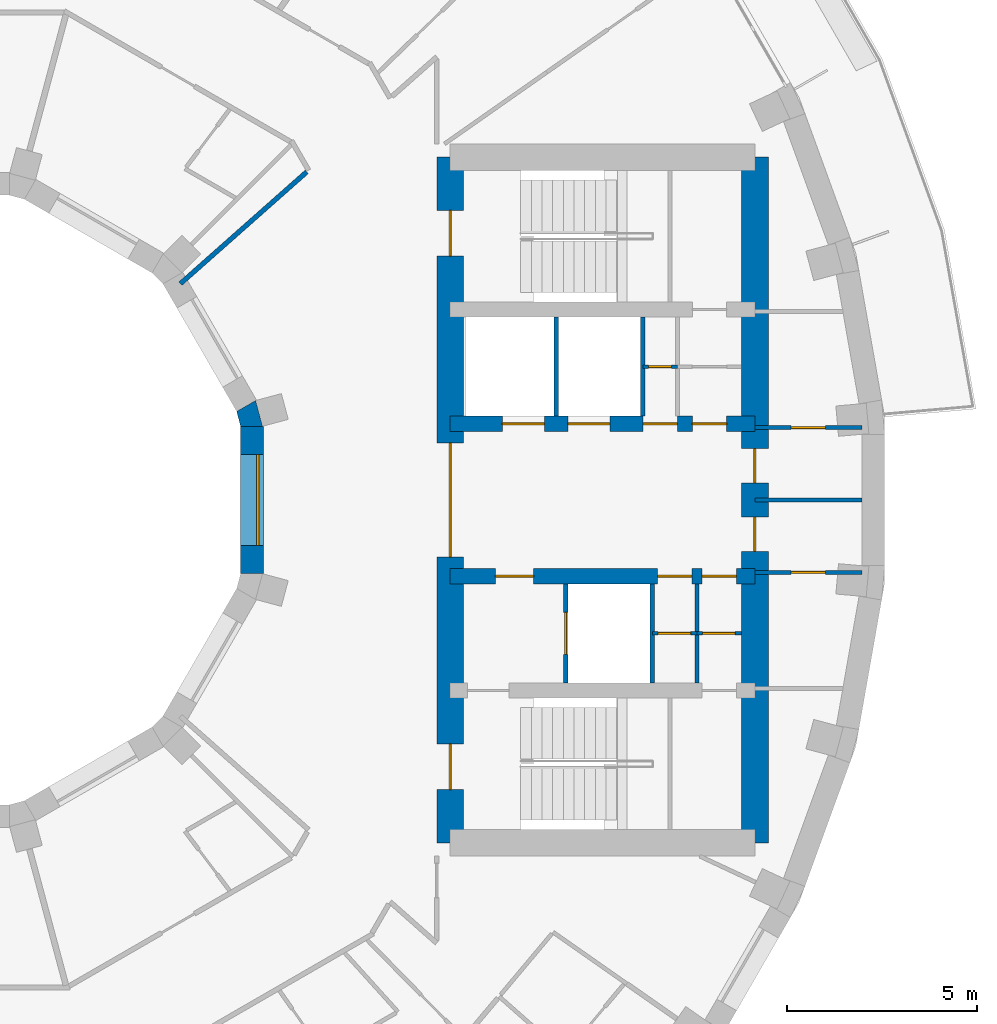
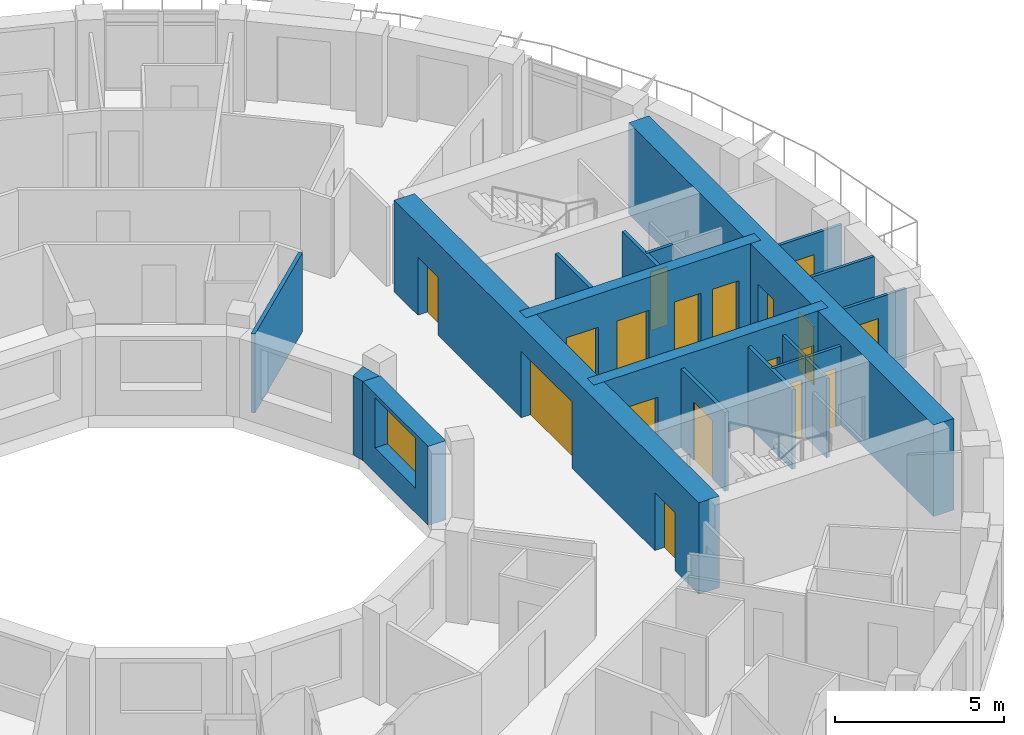
# One storey, part 9 of 15: 18 doors, 18 walls, 1 window, 19 openings.
"""IFC4 building model written with IfcOpenShell, lengths in metres."""

import ifcopenshell
import ifcopenshell.guid

model = None  # the IFC model being written
_history = None  # IfcOwnerHistory: only IFC2X3 demands one
_inside = {}  # id of a spatial element -> (the spatial element, [elements in it])
_under = {}  # id of a project, library or spatial element -> (it, [spatial elements below it])
_declared = {}  # id of a project -> (the project, [libraries it declares])
_typed = {}  # id of a type object -> (the type object, [elements of that type])
_made_of = {}  # id of a material, layer set ... -> (it, [elements and type objects made of it])


def new_model(schema):
    """Start an empty IFC model of exactly this schema.

    Asked for "IFC4X3", IfcOpenShell would pick the latest addendum, in which some entities
    have other attributes; the version numbers below select the first issue.
    IFC2X3 requires an IfcOwnerHistory on every rooted entity: one is made here for all.
    """
    global model, _history
    if schema == "IFC4X3":
        model = ifcopenshell.file(schema_version=(4, 3, 0, 0))
    else:
        model = ifcopenshell.file(schema=schema)
    _inside.clear()
    _under.clear()
    _declared.clear()
    _typed.clear()
    _made_of.clear()
    _history = None
    if model.schema == "IFC2X3":
        org = make("IfcOrganization", Name="unknown")
        user = make(
            "IfcPersonAndOrganization",
            ThePerson=make("IfcPerson", FamilyName="unknown"),
            TheOrganization=org,
        )
        app = make(
            "IfcApplication",
            ApplicationDeveloper=org,
            Version="unknown",
            ApplicationFullName="unknown",
            ApplicationIdentifier="unknown",
        )
        _history = make(
            "IfcOwnerHistory",
            OwningUser=user,
            OwningApplication=app,
            ChangeAction="ADDED",
            CreationDate=0,
        )
    return model


def make(cls, **values):
    """One entity of the class cls with the attributes given. An attribute that is None is left unset."""
    return model.create_entity(
        cls, **{name: value for name, value in values.items() if value is not None}
    )


def rooted(cls, **values):
    """An entity with a GlobalId (a new one), such as an element, a storey or a relation."""
    return make(cls, GlobalId=ifcopenshell.guid.new(), OwnerHistory=_history, **values)


def si_unit(unit_type, name, prefix=None):
    """IfcSIUnit, for example si_unit("LENGTHUNIT", "METRE", prefix="MILLI")."""
    return make("IfcSIUnit", UnitType=unit_type, Prefix=prefix, Name=name)


def assignment(units):
    """IfcUnitAssignment: the units of a project."""
    return None if units is None else make("IfcUnitAssignment", Units=units)


def point(xyz):
    """IfcCartesianPoint."""
    return None if xyz is None else make("IfcCartesianPoint", Coordinates=xyz)


def direction(xyz):
    """IfcDirection."""
    return None if xyz is None else make("IfcDirection", DirectionRatios=xyz)


def frame(location, z_axis=None, x_axis=None):
    """IfcAxis2Placement3D, a coordinate frame: its origin and axes. An axis left out is left unset."""
    return make(
        "IfcAxis2Placement3D",
        Location=point(location),
        Axis=direction(z_axis),
        RefDirection=direction(x_axis),
    )


def frame_2d(location, x_axis=None):
    """IfcAxis2Placement2D, a coordinate frame in the plane: its origin and x axis."""
    return make(
        "IfcAxis2Placement2D", Location=point(location), RefDirection=direction(x_axis)
    )


def origin():
    """The frame at (0, 0, 0) with its axes left unset."""
    return frame((0.0, 0.0, 0.0))


def place(relative_to, where):
    """IfcLocalPlacement: puts the frame where relative to a parent placement (None: the world)."""
    return make(
        "IfcLocalPlacement", PlacementRelTo=relative_to, RelativePlacement=where
    )


def context(
    kind, dimensions, precision=None, world=None, true_north=None, identifier=None
):
    """IfcGeometricRepresentationContext, for example the 3D "Model" context."""
    return make(
        "IfcGeometricRepresentationContext",
        ContextIdentifier=identifier,
        ContextType=kind,
        CoordinateSpaceDimension=dimensions,
        Precision=precision,
        WorldCoordinateSystem=world,
        TrueNorth=true_north,
    )


def subcontext(parent, identifier, kind, view, scale=None):
    """IfcGeometricRepresentationSubContext, for example "Body" below "Model"."""
    return make(
        "IfcGeometricRepresentationSubContext",
        ContextIdentifier=identifier,
        ContextType=kind,
        ParentContext=parent,
        TargetScale=scale,
        TargetView=view,
    )


def project(units=None, contexts=None):
    """IfcProject with its units and contexts."""
    return rooted(
        "IfcProject",
        Name="project",
        RepresentationContexts=contexts,
        UnitsInContext=assignment(units),
    )


def spatial(cls, under=None, at=None, **own):
    """A site, building, storey or space (cls), placed at a placement, below another one or the project."""
    s = rooted(cls, ObjectPlacement=at, **own)
    if under is not None:
        _under.setdefault(under.id(), (under, []))[1].append(s)
    return s


def polyline(points):
    """IfcPolyline through the points."""
    return make("IfcPolyline", Points=[point(p) for p in points])


def profile(cls, at=None, kind="AREA", **sizes):
    """A parametric profile (cls). Its sizes go by their IFC names, for example OverallWidth=200.0."""
    return make(cls, ProfileType=kind, Position=at, **sizes)


def rectangle(**sizes):
    """IfcRectangleProfileDef."""
    return profile("IfcRectangleProfileDef", **sizes)


def outline(outer, holes=None, kind="AREA"):
    """IfcArbitraryClosedProfileDef: a profile drawn as a closed curve; with holes, ...WithVoids."""
    if holes is None:
        return make("IfcArbitraryClosedProfileDef", ProfileType=kind, OuterCurve=outer)
    return make(
        "IfcArbitraryProfileDefWithVoids",
        ProfileType=kind,
        OuterCurve=outer,
        InnerCurves=holes,
    )


def extrude(swept, where, along, depth):
    """IfcExtrudedAreaSolid: the profile swept, set in the frame where, extruded along a direction by depth."""
    return make(
        "IfcExtrudedAreaSolid",
        SweptArea=swept,
        Position=where,
        ExtrudedDirection=direction(along),
        Depth=depth,
    )


def shape(context_of_items, identifier, shape_type, items):
    """IfcShapeRepresentation: the items that make up one representation, for example the "Body"."""
    return make(
        "IfcShapeRepresentation",
        ContextOfItems=context_of_items,
        RepresentationIdentifier=identifier,
        RepresentationType=shape_type,
        Items=items,
    )


def material(Name=None, Category=None):
    """IfcMaterial."""
    return make("IfcMaterial", Name=Name, Category=Category)


def layer(
    of_material, thickness, ventilated=None, Name=None, Category=None, Priority=None
):
    """IfcMaterialLayer: one layer of a wall or slab, of a material (None: an air gap)."""
    return make(
        "IfcMaterialLayer",
        Material=of_material,
        LayerThickness=thickness,
        IsVentilated=ventilated,
        Name=Name,
        Category=Category,
        Priority=Priority,
    )


def layer_set(layers, Name=None):
    """IfcMaterialLayerSet."""
    return make("IfcMaterialLayerSet", MaterialLayers=layers, LayerSetName=Name)


def made_of(thing, what):
    """Note that an element or type object is made of a material, layer set ...; save() writes the relation."""
    if what is not None:
        _made_of.setdefault(what.id(), (what, []))[1].append(thing)
    return thing


def type_object(cls, material=None, **own):
    """A type object (cls), such as IfcWallType, which elements share."""
    return made_of(rooted(cls, **own), material)


def element(
    cls,
    number,
    at=None,
    inside=None,
    cuts=None,
    type_object=None,
    material=None,
    context=None,
    identifier="Body",
    shape_type=None,
    held_by="IfcProductDefinitionShape",
    body=None,
    shapes=None,
    **own,
):
    """One element of the class cls, such as IfcWall. Its Tag is "e" and its number.

    at: its placement. inside: the storey or other place that contains it. cuts: it is an
    opening in that element (IfcRelVoidsElement). A single representation is given by context,
    identifier, shape_type and body (its items); several are given by shapes. held_by: the class
    of the entity that holds the representations. save() writes the other relations.
    """
    e = rooted(cls, Tag="e%d" % number, ObjectPlacement=at, **own)
    if body is not None:
        shapes = [shape(context, identifier, shape_type, body)]
    if shapes is not None:
        e.Representation = make(held_by, Representations=shapes)
    if inside is not None:
        _inside.setdefault(inside.id(), (inside, []))[1].append(e)
    if cuts is not None:
        rooted(
            "IfcRelVoidsElement", RelatingBuildingElement=cuts, RelatedOpeningElement=e
        )
    if type_object is not None:
        _typed.setdefault(type_object.id(), (type_object, []))[1].append(e)
    return made_of(e, material)


def fill(opening, filler):
    """IfcRelFillsElement: the door or window that sits in an opening."""
    return rooted(
        "IfcRelFillsElement",
        RelatingOpeningElement=opening,
        RelatedBuildingElement=filler,
    )


def aggregate(whole, parts):
    """IfcRelAggregates: a whole, such as a stair, and the parts it consists of."""
    return rooted("IfcRelAggregates", RelatingObject=whole, RelatedObjects=parts)


def save(model, path):
    """Write the relations noted so far, then the file.

    IfcRelAggregates (storeys below a building ...), IfcRelContainedInSpatialStructure (elements
    in a storey), IfcRelDefinesByType, IfcRelAssociatesMaterial and IfcRelDeclares: one each for
    every whole, place, type object, material and project.
    """
    for whole, parts in _under.values():
        aggregate(whole, parts)
    for where, things in _inside.values():
        rooted(
            "IfcRelContainedInSpatialStructure",
            RelatedElements=things,
            RelatingStructure=where,
        )
    for kind, things in _typed.values():
        rooted("IfcRelDefinesByType", RelatedObjects=things, RelatingType=kind)
    for what, things in _made_of.values():
        rooted("IfcRelAssociatesMaterial", RelatedObjects=things, RelatingMaterial=what)
    for by, libraries in _declared.values():
        rooted("IfcRelDeclares", RelatingContext=by, RelatedDefinitions=libraries)
    model.write(path)


model = new_model("IFC4")

# Units and contexts
model_context = context("Model", 3, precision=1e-05, world=origin(), true_north=direction((0.0, 1.0)))
body_context = subcontext(model_context, "Body", "Model", "MODEL_VIEW")
ifc_project = project(units=[si_unit("LENGTHUNIT", "METRE"), si_unit("AREAUNIT", "SQUARE_METRE"), si_unit("VOLUMEUNIT", "CUBIC_METRE"), si_unit("PLANEANGLEUNIT", "RADIAN"), si_unit("MASSUNIT", "GRAM", prefix="KILO")], contexts=[model_context])

# Site, building, storey
site_placement = place(None, origin())
site = spatial("IfcSite", under=ifc_project, at=site_placement, CompositionType="ELEMENT")
building_placement = place(site_placement, origin())
building = spatial("IfcBuilding", under=site, at=building_placement, Name="Saqina Gate Tower", CompositionType="ELEMENT")
storey_placement = place(building_placement, frame((0.0, 0.0, 190.5)))
storey = spatial("IfcBuildingStorey", under=building, at=storey_placement, Name="L54", CompositionType="ELEMENT", Elevation=190.5)

# Wall, opening, door
ifc_material_1 = material(Name="Gypsum board on steel studs", Category="steel")
ifc_layer_1 = layer(ifc_material_1, 0.10009765625)
ifc_layer_set_1 = layer_set([ifc_layer_1], Name="CORE PARTITION")
wall_type_1 = type_object("IfcWallType", Name="CORE PARTITION", PredefinedType="PARTITIONING", material=ifc_layer_set_1)
wall_1_placement = place(storey_placement, frame((21.5, 1.89990234375, 0.0), z_axis=(0.0, 0.0, 1.0), x_axis=(1.0, 0.0, 0.0)))
wall_1 = element("IfcWall", 1, at=wall_1_placement, inside=storey, type_object=wall_type_1, Name="L54-CP-E02", PredefinedType="PARTITIONING", context=body_context, shape_type="SweptSolid", body=[
    extrude(rectangle(XDim=2.804931640625, YDim=0.10009765625, at=frame_2d((1.40234375, 0.0))), origin(), (0.0, 0.0, 1.0), 2.85009765625),
])
opening_1_placement = place(wall_1_placement, frame((0.952392578125, 0.0, 0.0)))
opening_1 = element("IfcOpeningElement", 2, at=opening_1_placement, cuts=wall_1, Name="Opening G16-D95", PredefinedType="OPENING", context=body_context, shape_type="SweptSolid", body=[
    extrude(rectangle(XDim=0.89990234375, YDim=2.10009765625, at=frame_2d((0.449951171875, 1.050048828125))), frame((0.0, 0.06201171875, 0.0), z_axis=(0.0, -1.0, 0.0), x_axis=(1.0, 0.0, 0.0)), (0.0, 0.0, 1.0), 0.1240234375),
])
ifc_material_2 = material(Name="Steel-framed fire door leaf, EI 60", Category="steel")
door_type_1 = type_object("IfcDoorType", Name="SERVICE ROOM DOOR 900", OperationType="SINGLE_SWING_LEFT", PredefinedType="DOOR", material=ifc_material_2)
door_1_placement = place(opening_1_placement, origin())
door_1 = element("IfcDoor", 3, at=door_1_placement, inside=storey, type_object=door_type_1, Name="L54-CD-E06", OperationType="SINGLE_SWING_LEFT", OverallHeight=2.10009765625, OverallWidth=0.89990234375, PredefinedType="DOOR", context=body_context, shape_type="SweptSolid", body=[
    extrude(rectangle(XDim=0.89990234375, YDim=2.10009765625, at=frame_2d((0.449951171875, 1.050048828125))), frame((0.0, 0.02490234375, 0.0), z_axis=(0.0, -1.0, 0.0), x_axis=(1.0, 0.0, 0.0)), (0.0, 0.0, 1.0), 0.050048828125),
])
fill(opening_1, door_1)

wall_2_placement = place(storey_placement, frame((21.5, -1.89990234375, 0.0), z_axis=(0.0, 0.0, 1.0), x_axis=(1.0, 0.0, 0.0)))
wall_2 = element("IfcWall", 4, at=wall_2_placement, inside=storey, type_object=wall_type_1, Name="L54-CP-E04", PredefinedType="PARTITIONING", context=body_context, shape_type="SweptSolid", body=[
    extrude(rectangle(XDim=2.804931640625, YDim=0.10009765625, at=frame_2d((1.40234375, 0.0))), origin(), (0.0, 0.0, 1.0), 2.85009765625),
])
opening_2_placement = place(wall_2_placement, frame((0.952392578125, 0.0, 0.0)))
opening_2 = element("IfcOpeningElement", 5, at=opening_2_placement, cuts=wall_2, Name="Opening G16-D97", PredefinedType="OPENING", context=body_context, shape_type="SweptSolid", body=[
    extrude(rectangle(XDim=0.89990234375, YDim=2.10009765625, at=frame_2d((0.449951171875, 1.050048828125))), frame((0.0, 0.06201171875, 0.0), z_axis=(0.0, -1.0, 0.0), x_axis=(1.0, 0.0, 0.0)), (0.0, 0.0, 1.0), 0.1240234375),
])
door_2_placement = place(opening_2_placement, frame((0.89990234375, 0.0, 0.0), z_axis=(0.0, 0.0, 1.0), x_axis=(-1.0, 0.0, 0.0)))
door_2 = element("IfcDoor", 6, at=door_2_placement, inside=storey, type_object=door_type_1, Name="L54-CD-E08", OperationType="SINGLE_SWING_RIGHT", OverallHeight=2.10009765625, OverallWidth=0.89990234375, PredefinedType="DOOR", context=body_context, shape_type="SweptSolid", body=[
    extrude(rectangle(XDim=0.89990234375, YDim=2.10009765625, at=frame_2d((0.449951171875, 1.050048828125))), frame((0.0, 0.02490234375, 0.0), z_axis=(0.0, -1.0, 0.0), x_axis=(1.0, 0.0, 0.0)), (0.0, 0.0, 1.0), 0.050048828125),
])
fill(opening_2, door_2)

# Walls
wall_3_placement = place(storey_placement, frame((21.5, 0.0, 0.0), z_axis=(0.0, 0.0, 1.0), x_axis=(1.0, 0.0, 0.0)))
element("IfcWall", 7, at=wall_3_placement, inside=storey, type_object=wall_type_1, Name="L54-CP-E05", PredefinedType="PARTITIONING", context=body_context, shape_type="SweptSolid", body=[
    extrude(rectangle(XDim=2.804931640625, YDim=0.10009765625, at=frame_2d((1.40234375, 0.0))), origin(), (0.0, 0.0, 1.0), 2.85009765625),
])
wall_4_placement = place(storey_placement, frame((19.97998046875, -4.800048828125, 0.0), z_axis=(0.0, 0.0, 1.0), x_axis=(0.0, 1.0, 0.0)))
element("IfcWall", 8, at=wall_4_placement, inside=storey, type_object=wall_type_1, Name="L54-CP-E11", PredefinedType="PARTITIONING", context=body_context, shape_type="SweptSolid", body=[
    extrude(rectangle(XDim=2.60009765625, YDim=0.10009765625, at=frame_2d((1.300048828125, 0.0))), origin(), (0.0, 0.0, 1.0), 2.85009765625),
])

# Wall, opening, door
wall_5_placement = place(storey_placement, frame((18.56005859375, 3.5, 0.0), z_axis=(0.0, 0.0, 1.0), x_axis=(1.0, 0.0, 0.0)))
wall_5 = element("IfcWall", 9, at=wall_5_placement, inside=storey, type_object=wall_type_1, Name="L54-CP-E12", PredefinedType="PARTITIONING", context=body_context, shape_type="SweptSolid", body=[
    extrude(rectangle(XDim=0.906494140625, YDim=0.10009765625, at=frame_2d((0.453125, 0.0))), origin(), (0.0, 0.0, 1.0), 2.85009765625),
])
opening_3_placement = place(wall_5_placement, frame((0.149658203125, 0.0, 0.0)))
opening_3 = element("IfcOpeningElement", 10, at=opening_3_placement, cuts=wall_5, Name="Opening G16-D99", PredefinedType="OPENING", context=body_context, shape_type="SweptSolid", body=[
    extrude(rectangle(XDim=0.60009765625, YDim=2.10009765625, at=frame_2d((0.300048828125, 1.050048828125))), frame((0.0, 0.06201171875, 0.0), z_axis=(0.0, -1.0, 0.0), x_axis=(1.0, 0.0, 0.0)), (0.0, 0.0, 1.0), 0.1240234375),
])
ifc_material_3 = material(Name="Steel-framed fire door leaf, EI 60", Category="steel")
door_type_2 = type_object("IfcDoorType", Name="SERVICE ROOM DOOR 600", OperationType="SINGLE_SWING_LEFT", PredefinedType="DOOR", material=ifc_material_3)
door_3_placement = place(opening_3_placement, origin())
door_3 = element("IfcDoor", 11, at=door_3_placement, inside=storey, type_object=door_type_2, Name="L54-CD-E10", OperationType="SINGLE_SWING_LEFT", OverallHeight=2.10009765625, OverallWidth=0.60009765625, PredefinedType="DOOR", context=body_context, shape_type="SweptSolid", body=[
    extrude(rectangle(XDim=0.60009765625, YDim=2.10009765625, at=frame_2d((0.300048828125, 1.050048828125))), frame((0.0, 0.02490234375, 0.0), z_axis=(0.0, -1.0, 0.0), x_axis=(1.0, 0.0, 0.0)), (0.0, 0.0, 1.0), 0.050048828125),
])
fill(opening_3, door_3)

wall_6_placement = place(storey_placement, frame((18.81005859375, -3.5, 0.0), z_axis=(0.0, 0.0, 1.0), x_axis=(1.0, 0.0, 0.0)))
wall_6 = element("IfcWall", 12, at=wall_6_placement, inside=storey, type_object=wall_type_1, Name="L54-CP-E14", PredefinedType="PARTITIONING", context=body_context, shape_type="SweptSolid", body=[
    extrude(rectangle(XDim=1.169921875, YDim=0.10009765625, at=frame_2d((0.5849609375, 0.0))), origin(), (0.0, 0.0, 1.0), 2.85009765625),
])
opening_4_placement = place(wall_6_placement, frame((0.14990234375, 0.0, 0.0)))
opening_4 = element("IfcOpeningElement", 13, at=opening_4_placement, cuts=wall_6, Name="Opening G16-D102", PredefinedType="OPENING", context=body_context, shape_type="SweptSolid", body=[
    extrude(rectangle(XDim=0.85009765625, YDim=2.10009765625, at=frame_2d((0.425048828125, 1.050048828125))), frame((0.0, 0.06201171875, 0.0), z_axis=(0.0, -1.0, 0.0), x_axis=(1.0, 0.0, 0.0)), (0.0, 0.0, 1.0), 0.1240234375),
])
ifc_material_4 = material(Name="Steel-framed fire door leaf, EI 60", Category="steel")
door_type_3 = type_object("IfcDoorType", Name="SERVICE ROOM DOOR 850", OperationType="SINGLE_SWING_LEFT", PredefinedType="DOOR", material=ifc_material_4)
door_4_placement = place(opening_4_placement, frame((0.85009765625, 0.0, 0.0), z_axis=(0.0, 0.0, 1.0), x_axis=(-1.0, 0.0, 0.0)))
door_4 = element("IfcDoor", 14, at=door_4_placement, inside=storey, type_object=door_type_3, Name="L54-CD-E13", OperationType="SINGLE_SWING_RIGHT", OverallHeight=2.10009765625, OverallWidth=0.85009765625, PredefinedType="DOOR", context=body_context, shape_type="SweptSolid", body=[
    extrude(rectangle(XDim=0.85009765625, YDim=2.10009765625, at=frame_2d((0.425048828125, 1.050048828125))), frame((0.0, 0.02490234375, 0.0), z_axis=(0.0, -1.0, 0.0), x_axis=(1.0, 0.0, 0.0)), (0.0, 0.0, 1.0), 0.050048828125),
])
fill(opening_4, door_4)

wall_7_placement = place(storey_placement, frame((19.97998046875, -3.5, 0.0), z_axis=(0.0, 0.0, 1.0), x_axis=(1.0, 0.0, 0.0)))
wall_7 = element("IfcWall", 15, at=wall_7_placement, inside=storey, type_object=wall_type_1, Name="L54-CP-E15", PredefinedType="PARTITIONING", context=body_context, shape_type="SweptSolid", body=[
    extrude(rectangle(XDim=1.169921875, YDim=0.10009765625, at=frame_2d((0.5849609375, 0.0))), origin(), (0.0, 0.0, 1.0), 2.85009765625),
])
opening_5_placement = place(wall_7_placement, frame((0.14990234375, 0.0, 0.0)))
opening_5 = element("IfcOpeningElement", 16, at=opening_5_placement, cuts=wall_7, Name="Opening G16-D103", PredefinedType="OPENING", context=body_context, shape_type="SweptSolid", body=[
    extrude(rectangle(XDim=0.85009765625, YDim=2.10009765625, at=frame_2d((0.425048828125, 1.050048828125))), frame((0.0, 0.06201171875, 0.0), z_axis=(0.0, -1.0, 0.0), x_axis=(1.0, 0.0, 0.0)), (0.0, 0.0, 1.0), 0.1240234375),
])
door_5_placement = place(opening_5_placement, frame((0.85009765625, 0.0, 0.0), z_axis=(0.0, 0.0, 1.0), x_axis=(-1.0, 0.0, 0.0)))
door_5 = element("IfcDoor", 17, at=door_5_placement, inside=storey, type_object=door_type_3, Name="L54-CD-E14", OperationType="SINGLE_SWING_LEFT", OverallHeight=2.10009765625, OverallWidth=0.85009765625, PredefinedType="DOOR", context=body_context, shape_type="SweptSolid", body=[
    extrude(rectangle(XDim=0.85009765625, YDim=2.10009765625, at=frame_2d((0.425048828125, 1.050048828125))), frame((0.0, 0.02490234375, 0.0), z_axis=(0.0, -1.0, 0.0), x_axis=(1.0, 0.0, 0.0)), (0.0, 0.0, 1.0), 0.050048828125),
])
fill(opening_5, door_5)

# Wall, opening, window
ifc_material_5 = material(Name="Glazed ceramic tile", Category="ceramic")
ifc_layer_2 = layer(ifc_material_5, 0.60009765625)
ifc_layer_set_2 = layer_set([ifc_layer_2], Name="IW-TILE")
wall_type_2 = type_object("IfcWallType", Name="IW-TILE", PredefinedType="SOLIDWALL", material=ifc_layer_set_2)
wall_8_placement = place(storey_placement, frame((8.300048828125, -1.934814453125, 0.0), z_axis=(0.0, 0.0, 1.0), x_axis=(0.0, 1.0, 0.0)))
wall_8 = element("IfcWall", 18, at=wall_8_placement, inside=storey, type_object=wall_type_2, Name="Well wall L54 facet 12", PredefinedType="SOLIDWALL", context=body_context, shape_type="SweptSolid", body=[
    extrude(rectangle(XDim=3.86962890625, YDim=0.60009765625, at=frame_2d((1.934814453125, 0.0))), origin(), (0.0, 0.0, 1.0), 2.85009765625),
])
opening_6_placement = place(wall_8_placement, frame((0.73486328125, 0.0, 0.89990234375)))
opening_6 = element("IfcOpeningElement", 19, at=opening_6_placement, cuts=wall_8, Name="Opening G16-W34", PredefinedType="OPENING", context=body_context, shape_type="SweptSolid", body=[
    extrude(rectangle(XDim=2.39990234375, YDim=1.800048828125, at=frame_2d((1.199951171875, 0.89990234375))), frame((0.0, 0.31201171875, 0.0), z_axis=(0.0, -1.0, 0.0), x_axis=(1.0, 0.0, 0.0)), (0.0, 0.0, 1.0), 0.6240234375),
])
ifc_material_6 = material(Name="Aluminium glazing", Category="aluminium")
window_type = type_object("IfcWindowType", Name="WN-W", PartitioningType="SINGLE_PANEL", PredefinedType="WINDOW", material=ifc_material_6)
window_placement = place(opening_6_placement, origin())
window = element("IfcWindow", 20, at=window_placement, inside=storey, type_object=window_type, Name="Well window L54 facet 12", OverallHeight=1.800048828125, OverallWidth=2.39990234375, PartitioningType="SINGLE_PANEL", PredefinedType="WINDOW", context=body_context, shape_type="SweptSolid", body=[
    extrude(rectangle(XDim=2.39990234375, YDim=1.800048828125, at=frame_2d((1.199951171875, 0.89990234375))), frame((0.0, -0.119873046875, 0.0), z_axis=(0.0, -1.0, 0.0), x_axis=(1.0, 0.0, 0.0)), (0.0, 0.0, 1.0), 0.06005859375),
])
fill(opening_6, window)

# Walls
ifc_material_7 = material(Name="Gypsum board on steel studs, 125 mm, fire rated", Category="steel")
ifc_layer_3 = layer(ifc_material_7, 0.125)
ifc_layer_set_3 = layer_set([ifc_layer_3], Name="PARTITION EI 30 125")
wall_type_3 = type_object("IfcWallType", Name="PARTITION EI 30 125", PredefinedType="PARTITIONING", material=ifc_layer_set_3)
wall_9_placement = place(storey_placement, frame((6.419921875, 5.679931640625, 0.0), z_axis=(0.0, 0.0, 1.0), x_axis=(0.748961830347, 0.662613142552, 0.0)))
element("IfcWall", 21, at=wall_9_placement, inside=storey, type_object=wall_type_3, Name="PARTITION PW1-41", PredefinedType="PARTITIONING", context=body_context, shape_type="SweptSolid", body=[
    extrude(rectangle(XDim=4.427734375, YDim=0.125, at=frame_2d((2.2138671875, 0.0))), origin(), (0.0, 0.0, 1.0), 2.85009765625),
])
ifc_material_8 = material(Name="Autoclaved aerated concrete block", Category="concrete")
ifc_layer_4 = layer(ifc_material_8, 0.1201171875)
ifc_layer_set_4 = layer_set([ifc_layer_4], Name="SHAFT PARTITION")
wall_type_4 = type_object("IfcWallType", Name="SHAFT PARTITION", PredefinedType="PARTITIONING", material=ifc_layer_set_4)
for number, where, z_axis, x_axis, name in (
    (22, (16.280029296875, 2.199951171875, 0.0), (0.0, 0.0, 1.0), (0.0, 1.0, 0.0), "L54-CP-E06"),
    (23, (18.56005859375, 2.199951171875, 0.0), (0.0, 0.0, 1.0), (0.0, 1.0, 0.0), "L54-CP-E07"),
):
    element("IfcWall", number, at=place(storey_placement, frame(where, z_axis=z_axis, x_axis=x_axis)), inside=storey, type_object=wall_type_4, Name=name, PredefinedType="PARTITIONING", context=body_context, shape_type="SweptSolid", body=[
        extrude(rectangle(XDim=2.60009765625, YDim=0.1201171875, at=frame_2d((1.300048828125, 0.0))), origin(), (0.0, 0.0, 1.0), 2.85009765625),
    ])

# Wall, opening, door
wall_10_placement = place(storey_placement, frame((16.530029296875, -4.800048828125, 0.0), z_axis=(0.0, 0.0, 1.0), x_axis=(0.0, 1.0, 0.0)))
wall_10 = element("IfcWall", 24, at=wall_10_placement, inside=storey, type_object=wall_type_4, Name="L54-CP-E09", PredefinedType="PARTITIONING", context=body_context, shape_type="SweptSolid", body=[
    extrude(rectangle(XDim=2.60009765625, YDim=0.1201171875, at=frame_2d((1.300048828125, 0.0))), origin(), (0.0, 0.0, 1.0), 2.85009765625),
])
opening_7_placement = place(wall_10_placement, frame((0.75, 0.0, 0.0)))
opening_7 = element("IfcOpeningElement", 25, at=opening_7_placement, cuts=wall_10, Name="Opening G16-LD3", PredefinedType="OPENING", context=body_context, shape_type="SweptSolid", body=[
    extrude(rectangle(XDim=1.10009765625, YDim=2.10009765625, at=frame_2d((0.550048828125, 1.050048828125))), frame((0.0, 0.072021484375, 0.0), z_axis=(0.0, -1.0, 0.0), x_axis=(1.0, 0.0, 0.0)), (0.0, 0.0, 1.0), 0.14404296875),
])
ifc_material_9 = material(Name="Stainless steel", Category="steel")
door_type_4 = type_object("IfcDoorType", Name="LANDING DOOR", OperationType="DOUBLE_DOOR_SLIDING", PredefinedType="DOOR", material=ifc_material_9)
door_6_placement = place(opening_7_placement, origin())
door_6 = element("IfcDoor", 26, at=door_6_placement, inside=storey, type_object=door_type_4, Name="LANDING DOOR FF1", OperationType="DOUBLE_DOOR_SLIDING", OverallHeight=2.10009765625, OverallWidth=1.10009765625, PredefinedType="DOOR", context=body_context, shape_type="SweptSolid", body=[
    extrude(rectangle(XDim=1.10009765625, YDim=2.10009765625, at=frame_2d((0.550048828125, 1.050048828125))), frame((0.0, 0.02490234375, 0.0), z_axis=(0.0, -1.0, 0.0), x_axis=(1.0, 0.0, 0.0)), (0.0, 0.0, 1.0), 0.050048828125),
])
fill(opening_7, door_6)

# Wall
wall_11_placement = place(storey_placement, frame((18.81005859375, -4.800048828125, 0.0), z_axis=(0.0, 0.0, 1.0), x_axis=(0.0, 1.0, 0.0)))
element("IfcWall", 27, at=wall_11_placement, inside=storey, type_object=wall_type_4, Name="L54-CP-E10", PredefinedType="PARTITIONING", context=body_context, shape_type="SweptSolid", body=[
    extrude(rectangle(XDim=2.60009765625, YDim=0.1201171875, at=frame_2d((1.300048828125, 0.0))), origin(), (0.0, 0.0, 1.0), 2.85009765625),
])

# Wall, openings, doors
ifc_material_10 = material(Name="Concrete C60/75", Category="concrete")
ifc_layer_5 = layer(ifc_material_10, 0.39990234375)
ifc_layer_set_5 = layer_set([ifc_layer_5], Name="Concrete C60/75")
wall_type_5 = type_object("IfcWallType", Name="STR-CORE WALL-C-I", PredefinedType="SHEAR", material=ifc_layer_set_5)
wall_12_placement = place(storey_placement, frame((13.5, 2.0, 0.0), z_axis=(0.0, 0.0, 1.0), x_axis=(1.0, 0.0, 0.0)))
wall_12 = element("IfcWall", 28, at=wall_12_placement, inside=storey, type_object=wall_type_5, Name="CORE WALL L54 E-L1", PredefinedType="SHEAR", context=body_context, shape_type="SweptSolid", body=[
    extrude(rectangle(XDim=8.0, YDim=0.39990234375, at=frame_2d((4.0, 0.0))), origin(), (0.0, 0.0, 1.0), 3.300048828125),
])
opening_8_placement = place(wall_12_placement, frame((1.3701171875, 0.0, 0.0)))
opening_8 = element("IfcOpeningElement", 29, at=opening_8_placement, cuts=wall_12, Name="Opening G16-LD1", PredefinedType="OPENING", context=body_context, shape_type="SweptSolid", body=[
    extrude(rectangle(XDim=1.10009765625, YDim=2.10009765625, at=frame_2d((0.550048828125, 1.050048828125))), frame((0.0, 0.2119140625, 0.0), z_axis=(0.0, -1.0, 0.0), x_axis=(1.0, 0.0, 0.0)), (0.0, 0.0, 1.0), 0.423828125),
])
opening_9_placement = place(wall_12_placement, frame((3.090087890625, 0.0, 0.0)))
opening_9 = element("IfcOpeningElement", 30, at=opening_9_placement, cuts=wall_12, Name="Opening G16-LD2", PredefinedType="OPENING", context=body_context, shape_type="SweptSolid", body=[
    extrude(rectangle(XDim=1.10009765625, YDim=2.10009765625, at=frame_2d((0.550048828125, 1.050048828125))), frame((0.0, 0.2119140625, 0.0), z_axis=(0.0, -1.0, 0.0), x_axis=(1.0, 0.0, 0.0)), (0.0, 0.0, 1.0), 0.423828125),
])
opening_10_placement = place(wall_12_placement, frame((5.063232421875, 0.0, 0.0)))
opening_10 = element("IfcOpeningElement", 31, at=opening_10_placement, cuts=wall_12, Name="Opening G16-D90", PredefinedType="OPENING", context=body_context, shape_type="SweptSolid", body=[
    extrude(rectangle(XDim=0.89990234375, YDim=2.10009765625, at=frame_2d((0.449951171875, 1.050048828125))), frame((0.0, 0.2119140625, 0.0), z_axis=(0.0, -1.0, 0.0), x_axis=(1.0, 0.0, 0.0)), (0.0, 0.0, 1.0), 0.423828125),
])
opening_11_placement = place(wall_12_placement, frame((6.358154296875, 0.0, 0.0)))
opening_11 = element("IfcOpeningElement", 32, at=opening_11_placement, cuts=wall_12, Name="Opening G16-D91", PredefinedType="OPENING", context=body_context, shape_type="SweptSolid", body=[
    extrude(rectangle(XDim=0.89990234375, YDim=2.10009765625, at=frame_2d((0.449951171875, 1.050048828125))), frame((0.0, 0.2119140625, 0.0), z_axis=(0.0, -1.0, 0.0), x_axis=(1.0, 0.0, 0.0)), (0.0, 0.0, 1.0), 0.423828125),
])
door_7_placement = place(opening_8_placement, origin())
door_7 = element("IfcDoor", 33, at=door_7_placement, inside=storey, type_object=door_type_4, Name="LANDING DOOR HR1", OperationType="DOUBLE_DOOR_SLIDING", OverallHeight=2.10009765625, OverallWidth=1.10009765625, PredefinedType="DOOR", context=body_context, shape_type="SweptSolid", body=[
    extrude(rectangle(XDim=1.10009765625, YDim=2.10009765625, at=frame_2d((0.550048828125, 1.050048828125))), frame((0.0, 0.02490234375, 0.0), z_axis=(0.0, -1.0, 0.0), x_axis=(1.0, 0.0, 0.0)), (0.0, 0.0, 1.0), 0.050048828125),
])
fill(opening_8, door_7)
door_8_placement = place(opening_9_placement, origin())
door_8 = element("IfcDoor", 34, at=door_8_placement, inside=storey, type_object=door_type_4, Name="LANDING DOOR HR2", OperationType="DOUBLE_DOOR_SLIDING", OverallHeight=2.10009765625, OverallWidth=1.10009765625, PredefinedType="DOOR", context=body_context, shape_type="SweptSolid", body=[
    extrude(rectangle(XDim=1.10009765625, YDim=2.10009765625, at=frame_2d((0.550048828125, 1.050048828125))), frame((0.0, 0.02490234375, 0.0), z_axis=(0.0, -1.0, 0.0), x_axis=(1.0, 0.0, 0.0)), (0.0, 0.0, 1.0), 0.050048828125),
])
fill(opening_9, door_8)
door_9_placement = place(opening_10_placement, origin())
door_9 = element("IfcDoor", 35, at=door_9_placement, inside=storey, type_object=door_type_1, Name="L54-CD-E01", OperationType="SINGLE_SWING_LEFT", OverallHeight=2.10009765625, OverallWidth=0.89990234375, PredefinedType="DOOR", context=body_context, shape_type="SweptSolid", body=[
    extrude(rectangle(XDim=0.89990234375, YDim=2.10009765625, at=frame_2d((0.449951171875, 1.050048828125))), frame((0.0, 0.02490234375, 0.0), z_axis=(0.0, -1.0, 0.0), x_axis=(1.0, 0.0, 0.0)), (0.0, 0.0, 1.0), 0.050048828125),
])
fill(opening_10, door_9)
door_10_placement = place(opening_11_placement, origin())
door_10 = element("IfcDoor", 36, at=door_10_placement, inside=storey, type_object=door_type_1, Name="L54-CD-E02", OperationType="SINGLE_SWING_RIGHT", OverallHeight=2.10009765625, OverallWidth=0.89990234375, PredefinedType="DOOR", context=body_context, shape_type="SweptSolid", body=[
    extrude(rectangle(XDim=0.89990234375, YDim=2.10009765625, at=frame_2d((0.449951171875, 1.050048828125))), frame((0.0, 0.02490234375, 0.0), z_axis=(0.0, -1.0, 0.0), x_axis=(1.0, 0.0, 0.0)), (0.0, 0.0, 1.0), 0.050048828125),
])
fill(opening_11, door_10)

wall_13_placement = place(storey_placement, frame((13.5, -2.0, 0.0), z_axis=(0.0, 0.0, 1.0), x_axis=(1.0, 0.0, 0.0)))
wall_13 = element("IfcWall", 37, at=wall_13_placement, inside=storey, type_object=wall_type_5, Name="CORE WALL L54 E-L2", PredefinedType="SHEAR", context=body_context, shape_type="SweptSolid", body=[
    extrude(rectangle(XDim=8.0, YDim=0.39990234375, at=frame_2d((4.0, 0.0))), origin(), (0.0, 0.0, 1.0), 3.300048828125),
])
opening_12_placement = place(wall_13_placement, frame((1.18994140625, 0.0, 0.0)))
opening_12 = element("IfcOpeningElement", 38, at=opening_12_placement, cuts=wall_13, Name="Opening G16-D92", PredefinedType="OPENING", context=body_context, shape_type="SweptSolid", body=[
    extrude(rectangle(XDim=1.0, YDim=2.10009765625, at=frame_2d((0.5, 1.050048828125))), frame((0.0, 0.2119140625, 0.0), z_axis=(0.0, -1.0, 0.0), x_axis=(1.0, 0.0, 0.0)), (0.0, 0.0, 1.0), 0.423828125),
])
opening_13_placement = place(wall_13_placement, frame((5.445068359375, 0.0, 0.0)))
opening_13 = element("IfcOpeningElement", 39, at=opening_13_placement, cuts=wall_13, Name="Opening G16-D93", PredefinedType="OPENING", context=body_context, shape_type="SweptSolid", body=[
    extrude(rectangle(XDim=0.89990234375, YDim=2.10009765625, at=frame_2d((0.449951171875, 1.050048828125))), frame((0.0, 0.2119140625, 0.0), z_axis=(0.0, -1.0, 0.0), x_axis=(1.0, 0.0, 0.0)), (0.0, 0.0, 1.0), 0.423828125),
])
opening_14_placement = place(wall_13_placement, frame((6.614990234375, 0.0, 0.0)))
opening_14 = element("IfcOpeningElement", 40, at=opening_14_placement, cuts=wall_13, Name="Opening G16-D94", PredefinedType="OPENING", context=body_context, shape_type="SweptSolid", body=[
    extrude(rectangle(XDim=0.89990234375, YDim=2.10009765625, at=frame_2d((0.449951171875, 1.050048828125))), frame((0.0, 0.2119140625, 0.0), z_axis=(0.0, -1.0, 0.0), x_axis=(1.0, 0.0, 0.0)), (0.0, 0.0, 1.0), 0.423828125),
])
ifc_material_11 = material(Name="Steel", Category="steel")
door_type_5 = type_object("IfcDoorType", Name="FIRE LOBBY DOOR EI 60", OperationType="SINGLE_SWING_LEFT", PredefinedType="DOOR", material=ifc_material_11)
door_11_placement = place(opening_12_placement, origin())
door_11 = element("IfcDoor", 41, at=door_11_placement, inside=storey, type_object=door_type_5, Name="L54-CD-E03", OperationType="SINGLE_SWING_LEFT", OverallHeight=2.10009765625, OverallWidth=1.0, PredefinedType="DOOR", context=body_context, shape_type="SweptSolid", body=[
    extrude(rectangle(XDim=1.0, YDim=2.10009765625, at=frame_2d((0.5, 1.050048828125))), frame((0.0, 0.02490234375, 0.0), z_axis=(0.0, -1.0, 0.0), x_axis=(1.0, 0.0, 0.0)), (0.0, 0.0, 1.0), 0.050048828125),
])
fill(opening_12, door_11)
door_12_placement = place(opening_13_placement, frame((0.89990234375, 0.0, 0.0), z_axis=(0.0, 0.0, 1.0), x_axis=(-1.0, 0.0, 0.0)))
door_12 = element("IfcDoor", 42, at=door_12_placement, inside=storey, type_object=door_type_1, Name="L54-CD-E04", OperationType="SINGLE_SWING_RIGHT", OverallHeight=2.10009765625, OverallWidth=0.89990234375, PredefinedType="DOOR", context=body_context, shape_type="SweptSolid", body=[
    extrude(rectangle(XDim=0.89990234375, YDim=2.10009765625, at=frame_2d((0.449951171875, 1.050048828125))), frame((0.0, 0.02490234375, 0.0), z_axis=(0.0, -1.0, 0.0), x_axis=(1.0, 0.0, 0.0)), (0.0, 0.0, 1.0), 0.050048828125),
])
fill(opening_13, door_12)
door_13_placement = place(opening_14_placement, frame((0.89990234375, 0.0, 0.0), z_axis=(0.0, 0.0, 1.0), x_axis=(-1.0, 0.0, 0.0)))
door_13 = element("IfcDoor", 43, at=door_13_placement, inside=storey, type_object=door_type_1, Name="L54-CD-E05", OperationType="SINGLE_SWING_LEFT", OverallHeight=2.10009765625, OverallWidth=0.89990234375, PredefinedType="DOOR", context=body_context, shape_type="SweptSolid", body=[
    extrude(rectangle(XDim=0.89990234375, YDim=2.10009765625, at=frame_2d((0.449951171875, 1.050048828125))), frame((0.0, 0.02490234375, 0.0), z_axis=(0.0, -1.0, 0.0), x_axis=(1.0, 0.0, 0.0)), (0.0, 0.0, 1.0), 0.050048828125),
])
fill(opening_14, door_13)

ifc_material_12 = material(Name="Concrete C60/75", Category="concrete")
ifc_layer_6 = layer(ifc_material_12, 0.699951171875)
ifc_layer_set_6 = layer_set([ifc_layer_6], Name="Concrete C60/75")
wall_type_6 = type_object("IfcWallType", Name="STR-CORE WALL-C-O", PredefinedType="SHEAR", material=ifc_layer_set_6)
wall_14_placement = place(storey_placement, frame((13.5, -9.0, 0.0), z_axis=(0.0, 0.0, 1.0), x_axis=(0.0, 1.0, 0.0)))
wall_14 = element("IfcWall", 44, at=wall_14_placement, inside=storey, type_object=wall_type_6, Name="CORE WALL L54 E-W1", PredefinedType="SHEAR", context=body_context, shape_type="SweptSolid", body=[
    extrude(rectangle(XDim=18.0, YDim=0.699951171875, at=frame_2d((9.0, 0.0))), origin(), (0.0, 0.0, 1.0), 3.300048828125),
])
opening_15_placement = place(wall_14_placement, frame((15.39990234375, 0.0, 0.0)))
opening_15 = element("IfcOpeningElement", 45, at=opening_15_placement, cuts=wall_14, Name="Opening G16-D106", PredefinedType="OPENING", context=body_context, shape_type="SweptSolid", body=[
    extrude(rectangle(XDim=1.199951171875, YDim=2.10009765625, at=frame_2d((0.60009765625, 1.050048828125))), frame((0.0, 0.362060546875, 0.0), z_axis=(0.0, -1.0, 0.0), x_axis=(1.0, 0.0, 0.0)), (0.0, 0.0, 1.0), 0.723876953125),
])
opening_16_placement = place(wall_14_placement, frame((1.39990234375, 0.0, 0.0)))
opening_16 = element("IfcOpeningElement", 46, at=opening_16_placement, cuts=wall_14, Name="Opening G16-D107", PredefinedType="OPENING", context=body_context, shape_type="SweptSolid", body=[
    extrude(rectangle(XDim=1.199951171875, YDim=2.10009765625, at=frame_2d((0.60009765625, 1.050048828125))), frame((0.0, 0.362060546875, 0.0), z_axis=(0.0, -1.0, 0.0), x_axis=(1.0, 0.0, 0.0)), (0.0, 0.0, 1.0), 0.723876953125),
])
opening_17_placement = place(wall_14_placement, frame((7.5, 0.0, 0.0)))
opening_17 = element("IfcOpeningElement", 47, at=opening_17_placement, cuts=wall_14, Name="Opening G16-D108", PredefinedType="OPENING", context=body_context, shape_type="SweptSolid", body=[
    extrude(rectangle(XDim=3.0, YDim=2.39990234375, at=frame_2d((1.5, 1.199951171875))), frame((0.0, 0.362060546875, 0.0), z_axis=(0.0, -1.0, 0.0), x_axis=(1.0, 0.0, 0.0)), (0.0, 0.0, 1.0), 0.723876953125),
])
ifc_material_13 = material(Name="Steel", Category="steel")
door_type_6 = type_object("IfcDoorType", Name="FIRE DOOR EI 60", OperationType="SINGLE_SWING_LEFT", PredefinedType="DOOR", material=ifc_material_13)
door_14_placement = place(opening_15_placement, frame((1.199951171875, 0.0, 0.0), z_axis=(0.0, 0.0, 1.0), x_axis=(-1.0, 0.0, 0.0)))
door_14 = element("IfcDoor", 48, at=door_14_placement, inside=storey, type_object=door_type_6, Name="L54-CD-E17", OperationType="SINGLE_SWING_LEFT", OverallHeight=2.10009765625, OverallWidth=1.199951171875, PredefinedType="DOOR", context=body_context, shape_type="SweptSolid", body=[
    extrude(rectangle(XDim=1.199951171875, YDim=2.10009765625, at=frame_2d((0.60009765625, 1.050048828125))), frame((0.0, 0.02490234375, 0.0), z_axis=(0.0, -1.0, 0.0), x_axis=(1.0, 0.0, 0.0)), (0.0, 0.0, 1.0), 0.050048828125),
])
fill(opening_15, door_14)
door_15_placement = place(opening_16_placement, frame((1.199951171875, 0.0, 0.0), z_axis=(0.0, 0.0, 1.0), x_axis=(-1.0, 0.0, 0.0)))
door_15 = element("IfcDoor", 49, at=door_15_placement, inside=storey, type_object=door_type_6, Name="L54-CD-E18", OperationType="SINGLE_SWING_RIGHT", OverallHeight=2.10009765625, OverallWidth=1.199951171875, PredefinedType="DOOR", context=body_context, shape_type="SweptSolid", body=[
    extrude(rectangle(XDim=1.199951171875, YDim=2.10009765625, at=frame_2d((0.60009765625, 1.050048828125))), frame((0.0, 0.02490234375, 0.0), z_axis=(0.0, -1.0, 0.0), x_axis=(1.0, 0.0, 0.0)), (0.0, 0.0, 1.0), 0.050048828125),
])
fill(opening_16, door_15)
ifc_material_14 = material(Name="Steel and fire-resisting glass", Category="steel")
door_type_7 = type_object("IfcDoorType", Name="LOBBY SCREEN DOOR", OperationType="DOUBLE_DOOR_SLIDING", PredefinedType="DOOR", material=ifc_material_14)
door_16_placement = place(opening_17_placement, origin())
door_16 = element("IfcDoor", 50, at=door_16_placement, inside=storey, type_object=door_type_7, Name="L54-CD-E19", OperationType="DOUBLE_DOOR_SLIDING", OverallHeight=2.39990234375, OverallWidth=3.0, PredefinedType="DOOR", context=body_context, shape_type="SweptSolid", body=[
    extrude(rectangle(XDim=3.0, YDim=2.39990234375, at=frame_2d((1.5, 1.199951171875))), frame((0.0, 0.02490234375, 0.0), z_axis=(0.0, -1.0, 0.0), x_axis=(1.0, 0.0, 0.0)), (0.0, 0.0, 1.0), 0.050048828125),
])
fill(opening_17, door_16)

wall_15_placement = place(storey_placement, frame((21.5, -9.0, 0.0), z_axis=(0.0, 0.0, 1.0), x_axis=(0.0, 1.0, 0.0)))
wall_15 = element("IfcWall", 51, at=wall_15_placement, inside=storey, type_object=wall_type_6, Name="CORE WALL L54 E-W2", PredefinedType="SHEAR", context=body_context, shape_type="SweptSolid", body=[
    extrude(rectangle(XDim=18.0, YDim=0.699951171875, at=frame_2d((9.0, 0.0))), origin(), (0.0, 0.0, 1.0), 3.300048828125),
])
opening_18_placement = place(wall_15_placement, frame((9.449951171875, 0.0, 0.0)))
opening_18 = element("IfcOpeningElement", 52, at=opening_18_placement, cuts=wall_15, Name="Opening G16-D96", PredefinedType="OPENING", context=body_context, shape_type="SweptSolid", body=[
    extrude(rectangle(XDim=0.89990234375, YDim=2.10009765625, at=frame_2d((0.449951171875, 1.050048828125))), frame((0.0, 0.362060546875, 0.0), z_axis=(0.0, -1.0, 0.0), x_axis=(1.0, 0.0, 0.0)), (0.0, 0.0, 1.0), 0.723876953125),
])
opening_19_placement = place(wall_15_placement, frame((7.64990234375, 0.0, 0.0)))
opening_19 = element("IfcOpeningElement", 53, at=opening_19_placement, cuts=wall_15, Name="Opening G16-D98", PredefinedType="OPENING", context=body_context, shape_type="SweptSolid", body=[
    extrude(rectangle(XDim=0.89990234375, YDim=2.10009765625, at=frame_2d((0.449951171875, 1.050048828125))), frame((0.0, 0.362060546875, 0.0), z_axis=(0.0, -1.0, 0.0), x_axis=(1.0, 0.0, 0.0)), (0.0, 0.0, 1.0), 0.723876953125),
])
door_17_placement = place(opening_18_placement, frame((0.89990234375, 0.0, 0.0), z_axis=(0.0, 0.0, 1.0), x_axis=(-1.0, 0.0, 0.0)))
door_17 = element("IfcDoor", 54, at=door_17_placement, inside=storey, type_object=door_type_1, Name="L54-CD-E07", OperationType="SINGLE_SWING_LEFT", OverallHeight=2.10009765625, OverallWidth=0.89990234375, PredefinedType="DOOR", context=body_context, shape_type="SweptSolid", body=[
    extrude(rectangle(XDim=0.89990234375, YDim=2.10009765625, at=frame_2d((0.449951171875, 1.050048828125))), frame((0.0, 0.02490234375, 0.0), z_axis=(0.0, -1.0, 0.0), x_axis=(1.0, 0.0, 0.0)), (0.0, 0.0, 1.0), 0.050048828125),
])
fill(opening_18, door_17)
door_18_placement = place(opening_19_placement, frame((0.89990234375, 0.0, 0.0), z_axis=(0.0, 0.0, 1.0), x_axis=(-1.0, 0.0, 0.0)))
door_18 = element("IfcDoor", 55, at=door_18_placement, inside=storey, type_object=door_type_1, Name="L54-CD-E09", OperationType="SINGLE_SWING_RIGHT", OverallHeight=2.10009765625, OverallWidth=0.89990234375, PredefinedType="DOOR", context=body_context, shape_type="SweptSolid", body=[
    extrude(rectangle(XDim=0.89990234375, YDim=2.10009765625, at=frame_2d((0.449951171875, 1.050048828125))), frame((0.0, 0.02490234375, 0.0), z_axis=(0.0, -1.0, 0.0), x_axis=(1.0, 0.0, 0.0)), (0.0, 0.0, 1.0), 0.050048828125),
])
fill(opening_19, door_18)

# Wall
ifc_material_15 = material(Name="Glazed ceramic tile", Category="ceramic")
wall_type_7 = type_object("IfcWallType", Name="TILE PIER COPING", PredefinedType="SOLIDWALL", material=ifc_material_15)
wall_16_placement = place(storey_placement, origin())
element("IfcWall", 56, at=wall_16_placement, inside=storey, type_object=wall_type_7, Name="Well pier cap L54 column 1", PredefinedType="SOLIDWALL", context=body_context, shape_type="SweptSolid", body=[
    extrude(outline(polyline([(8.392333984375, 2.611083984375), (7.895751953125, 2.32421875), (8.0, 1.934814453125), (8.573486328125, 1.934814453125), (8.392333984375, 2.611083984375)])), origin(), (0.0, 0.0, 1.0), 2.85009765625),
])

save(model, "model.ifc")
